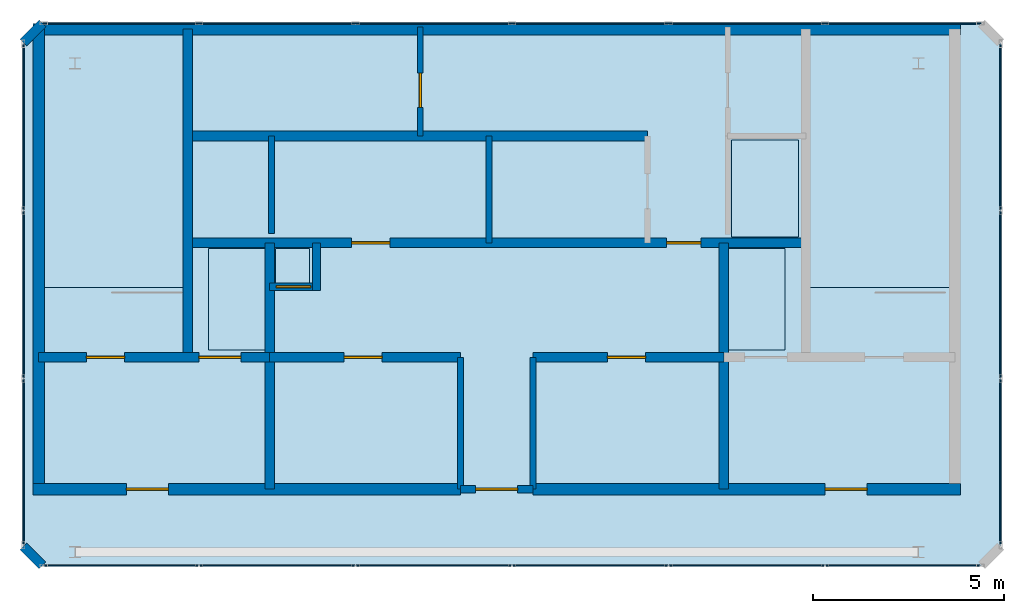
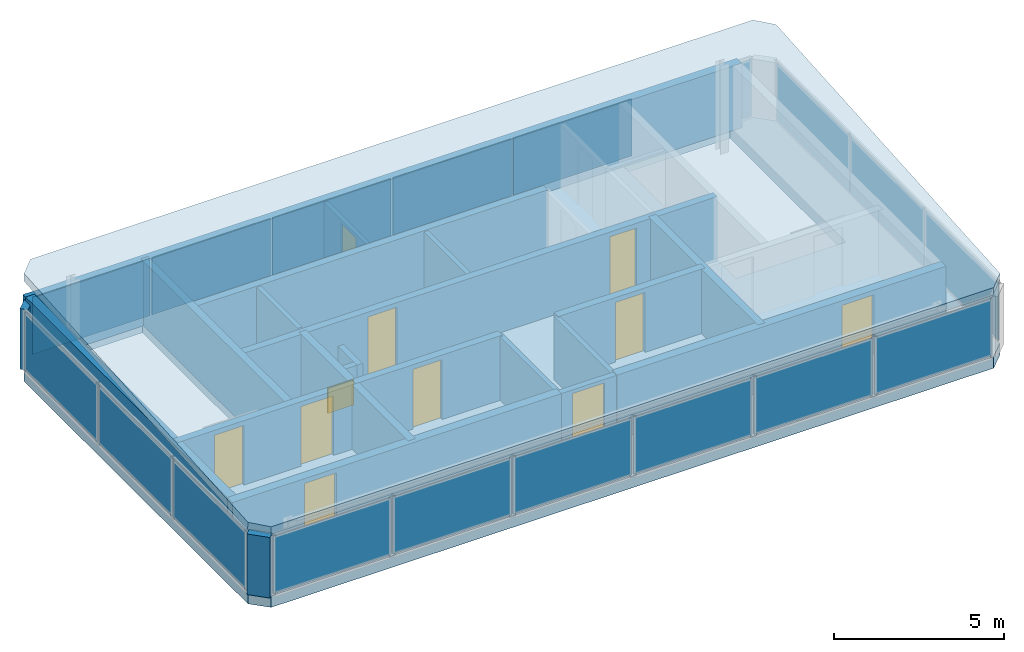
# One storey, part 7 of 9: 22 walls, 18 plates, 11 doors, 2 slabs, 11 openings, 4 elements without a shape of their own.
"""IFC4 building model written with IfcOpenShell, lengths in metres."""

from ifc_helpers import new_model, si_unit, direction, frame, frame_2d, origin, origin_2d, place, context, subcontext, project, spatial, polyline, rectangle, outline, extrude, material, layer, layer_set, type_object, element, fill, aggregate, save


model = new_model("IFC4")

# Units and contexts
model_context = context("Model", 3, precision=1e-05, world=origin(), true_north=direction((0.0, 1.0)))
body_context = subcontext(model_context, "Body", "Model", "MODEL_VIEW")
ifc_project = project(units=[si_unit("LENGTHUNIT", "METRE"), si_unit("AREAUNIT", "SQUARE_METRE"), si_unit("VOLUMEUNIT", "CUBIC_METRE"), si_unit("PLANEANGLEUNIT", "RADIAN"), si_unit("MASSUNIT", "GRAM", prefix="KILO")], contexts=[model_context])

# Site, building, storey
site_placement = place(None, origin())
site = spatial("IfcSite", under=ifc_project, at=site_placement, CompositionType="ELEMENT")
building_placement = place(site_placement, origin())
building = spatial("IfcBuilding", under=site, at=building_placement, Name="Catumbela Crestline Tower", CompositionType="ELEMENT")
storey_placement = place(building_placement, frame((0.0, 0.0, 318.5)))
storey = spatial("IfcBuildingStorey", under=building, at=storey_placement, Name="L82", CompositionType="ELEMENT", Elevation=318.5)

# Curtain wall, plates
ifc_material_1 = material(Name="Aluminium alloy AW-6060-T66", Category="aluminium")
ifc_layer_1 = layer(ifc_material_1, 0.18, Name="Aluminium alloy AW-6060-T66")
ifc_layer_set_1 = layer_set([ifc_layer_1], Name="Aluminium alloy AW-6060-T66")
curtain_wall_type = type_object("IfcCurtainWallType", Name="CWS-OBS", PredefinedType="USERDEFINED", material=ifc_layer_set_1)
curtain_wall_1_placement = place(storey_placement, origin())
curtain_wall_1 = element("IfcCurtainWall", 1, at=curtain_wall_1_placement, inside=storey, type_object=curtain_wall_type, Name="L82 Stick Curtain Wall CW-L82-E0S1", ObjectType="STICK", PredefinedType="USERDEFINED")
ifc_material_2 = material(Name="Low-E laminated solar-control double glazing", Category="glass")
ifc_layer_2 = layer(ifc_material_2, 0.036, Name="Low-E laminated solar-control double glazing")
ifc_layer_set_2 = layer_set([ifc_layer_2], Name="Low-E laminated solar-control double glazing")
plate_type = type_object("IfcPlateType", Name="PNL-GLZ-OB", PredefinedType="CURTAIN_PANEL", material=ifc_layer_set_2)
plate_1_placement = place(storey_placement, frame((18.1663, 28.8, 0.06), z_axis=(0.0, 0.0, 1.0), x_axis=(1.0, 0.0, 0.0)))
plate_1 = element("IfcPlate", 2, at=plate_1_placement, type_object=plate_type, Name="CWS-OBS panel 1.1", PredefinedType="CURTAIN_PANEL", context=body_context, shape_type="SweptSolid", body=[
    extrude(rectangle(XDim=4.0025, YDim=0.034, at=origin_2d()), origin(), (0.0, 0.0, 1.0), 2.06),
])
plate_2_placement = place(storey_placement, frame((22.25, 28.8, 0.06), z_axis=(0.0, 0.0, 1.0), x_axis=(1.0, 0.0, 0.0)))
plate_2 = element("IfcPlate", 3, at=plate_2_placement, type_object=plate_type, Name="CWS-OBS panel 2.1", PredefinedType="CURTAIN_PANEL", context=body_context, shape_type="SweptSolid", body=[
    extrude(rectangle(XDim=4.035, YDim=0.034, at=origin_2d()), origin(), (0.0, 0.0, 1.0), 2.06),
])
plate_3_placement = place(storey_placement, frame((26.35, 28.8, 0.06), z_axis=(0.0, 0.0, 1.0), x_axis=(1.0, 0.0, 0.0)))
plate_3 = element("IfcPlate", 4, at=plate_3_placement, type_object=plate_type, Name="CWS-OBS panel 3.1", PredefinedType="CURTAIN_PANEL", context=body_context, shape_type="SweptSolid", body=[
    extrude(rectangle(XDim=4.035, YDim=0.034, at=origin_2d()), origin(), (0.0, 0.0, 1.0), 2.06),
])
plate_4_placement = place(storey_placement, frame((30.45, 28.8, 0.06), z_axis=(0.0, 0.0, 1.0), x_axis=(1.0, 0.0, 0.0)))
plate_4 = element("IfcPlate", 5, at=plate_4_placement, type_object=plate_type, Name="CWS-OBS panel 4.1", PredefinedType="CURTAIN_PANEL", context=body_context, shape_type="SweptSolid", body=[
    extrude(rectangle(XDim=4.035, YDim=0.034, at=origin_2d()), origin(), (0.0, 0.0, 1.0), 2.06),
])
plate_5_placement = place(storey_placement, frame((34.55, 28.8, 0.06), z_axis=(0.0, 0.0, 1.0), x_axis=(1.0, 0.0, 0.0)))
plate_5 = element("IfcPlate", 6, at=plate_5_placement, type_object=plate_type, Name="CWS-OBS panel 5.1", PredefinedType="CURTAIN_PANEL", context=body_context, shape_type="SweptSolid", body=[
    extrude(rectangle(XDim=4.035, YDim=0.034, at=origin_2d()), origin(), (0.0, 0.0, 1.0), 2.06),
])
plate_6_placement = place(storey_placement, frame((38.6338, 28.8, 0.06), z_axis=(0.0, 0.0, 1.0), x_axis=(1.0, 0.0, 0.0)))
plate_6 = element("IfcPlate", 7, at=plate_6_placement, type_object=plate_type, Name="CWS-OBS panel 6.1", PredefinedType="CURTAIN_PANEL", context=body_context, shape_type="SweptSolid", body=[
    extrude(rectangle(XDim=4.0025, YDim=0.034, at=origin_2d()), origin(), (0.0, 0.0, 1.0), 2.06),
])
aggregate(curtain_wall_1, [plate_1, plate_2, plate_3, plate_4, plate_5, plate_6])

curtain_wall_2_placement = place(storey_placement, origin())
curtain_wall_2 = element("IfcCurtainWall", 8, at=curtain_wall_2_placement, inside=storey, type_object=curtain_wall_type, Name="L82 Stick Curtain Wall CW-L82-E2S1", ObjectType="STICK", PredefinedType="USERDEFINED")
plate_7_placement = place(storey_placement, frame((41.2, 31.5162, 0.06), z_axis=(0.0, 0.0, 1.0), x_axis=(0.0, 1.0, 0.0)))
plate_7 = element("IfcPlate", 9, at=plate_7_placement, type_object=plate_type, Name="CWS-OBS panel 1.1", PredefinedType="CURTAIN_PANEL", context=body_context, shape_type="SweptSolid", body=[
    extrude(rectangle(XDim=4.3025, YDim=0.034, at=origin_2d()), origin(), (0.0, 0.0, 1.0), 2.06),
])
plate_8_placement = place(storey_placement, frame((41.2, 35.9, 0.06), z_axis=(0.0, 0.0, 1.0), x_axis=(0.0, 1.0, 0.0)))
plate_8 = element("IfcPlate", 10, at=plate_8_placement, type_object=plate_type, Name="CWS-OBS panel 2.1", PredefinedType="CURTAIN_PANEL", context=body_context, shape_type="SweptSolid", body=[
    extrude(rectangle(XDim=4.335, YDim=0.034, at=origin_2d()), origin(), (0.0, 0.0, 1.0), 2.06),
])
plate_9_placement = place(storey_placement, frame((41.2, 40.2838, 0.06), z_axis=(0.0, 0.0, 1.0), x_axis=(0.0, 1.0, 0.0)))
plate_9 = element("IfcPlate", 11, at=plate_9_placement, type_object=plate_type, Name="CWS-OBS panel 3.1", PredefinedType="CURTAIN_PANEL", context=body_context, shape_type="SweptSolid", body=[
    extrude(rectangle(XDim=4.3025, YDim=0.034, at=origin_2d()), origin(), (0.0, 0.0, 1.0), 2.06),
])
aggregate(curtain_wall_2, [plate_7, plate_8, plate_9])

curtain_wall_3_placement = place(storey_placement, origin())
curtain_wall_3 = element("IfcCurtainWall", 12, at=curtain_wall_3_placement, inside=storey, type_object=curtain_wall_type, Name="L82 Stick Curtain Wall CW-L82-E4S1", ObjectType="STICK", PredefinedType="USERDEFINED")
plate_10_placement = place(storey_placement, frame((38.6338, 43.0, 0.06), z_axis=(0.0, 0.0, 1.0), x_axis=(-1.0, 0.0, 0.0)))
plate_10 = element("IfcPlate", 13, at=plate_10_placement, type_object=plate_type, Name="CWS-OBS panel 1.1", PredefinedType="CURTAIN_PANEL", context=body_context, shape_type="SweptSolid", body=[
    extrude(rectangle(XDim=4.0025, YDim=0.034, at=origin_2d()), origin(), (0.0, 0.0, 1.0), 2.06),
])
plate_11_placement = place(storey_placement, frame((34.55, 43.0, 0.06), z_axis=(0.0, 0.0, 1.0), x_axis=(-1.0, 0.0, 0.0)))
plate_11 = element("IfcPlate", 14, at=plate_11_placement, type_object=plate_type, Name="CWS-OBS panel 2.1", PredefinedType="CURTAIN_PANEL", context=body_context, shape_type="SweptSolid", body=[
    extrude(rectangle(XDim=4.035, YDim=0.034, at=origin_2d()), origin(), (0.0, 0.0, 1.0), 2.06),
])
plate_12_placement = place(storey_placement, frame((30.45, 43.0, 0.06), z_axis=(0.0, 0.0, 1.0), x_axis=(-1.0, 0.0, 0.0)))
plate_12 = element("IfcPlate", 15, at=plate_12_placement, type_object=plate_type, Name="CWS-OBS panel 3.1", PredefinedType="CURTAIN_PANEL", context=body_context, shape_type="SweptSolid", body=[
    extrude(rectangle(XDim=4.035, YDim=0.034, at=origin_2d()), origin(), (0.0, 0.0, 1.0), 2.06),
])
plate_13_placement = place(storey_placement, frame((26.35, 43.0, 0.06), z_axis=(0.0, 0.0, 1.0), x_axis=(-1.0, 0.0, 0.0)))
plate_13 = element("IfcPlate", 16, at=plate_13_placement, type_object=plate_type, Name="CWS-OBS panel 4.1", PredefinedType="CURTAIN_PANEL", context=body_context, shape_type="SweptSolid", body=[
    extrude(rectangle(XDim=4.035, YDim=0.034, at=origin_2d()), origin(), (0.0, 0.0, 1.0), 2.06),
])
plate_14_placement = place(storey_placement, frame((22.25, 43.0, 0.06), z_axis=(0.0, 0.0, 1.0), x_axis=(-1.0, 0.0, 0.0)))
plate_14 = element("IfcPlate", 17, at=plate_14_placement, type_object=plate_type, Name="CWS-OBS panel 5.1", PredefinedType="CURTAIN_PANEL", context=body_context, shape_type="SweptSolid", body=[
    extrude(rectangle(XDim=4.035, YDim=0.034, at=origin_2d()), origin(), (0.0, 0.0, 1.0), 2.06),
])
plate_15_placement = place(storey_placement, frame((18.1663, 43.0, 0.06), z_axis=(0.0, 0.0, 1.0), x_axis=(-1.0, 0.0, 0.0)))
plate_15 = element("IfcPlate", 18, at=plate_15_placement, type_object=plate_type, Name="CWS-OBS panel 6.1", PredefinedType="CURTAIN_PANEL", context=body_context, shape_type="SweptSolid", body=[
    extrude(rectangle(XDim=4.0025, YDim=0.034, at=origin_2d()), origin(), (0.0, 0.0, 1.0), 2.06),
])
aggregate(curtain_wall_3, [plate_10, plate_11, plate_12, plate_13, plate_14, plate_15])

curtain_wall_4_placement = place(storey_placement, origin())
curtain_wall_4 = element("IfcCurtainWall", 19, at=curtain_wall_4_placement, inside=storey, type_object=curtain_wall_type, Name="L82 Stick Curtain Wall CW-L82-E6S1", ObjectType="STICK", PredefinedType="USERDEFINED")
plate_16_placement = place(storey_placement, frame((15.6, 40.2838, 0.06), z_axis=(0.0, 0.0, 1.0), x_axis=(0.0, -1.0, 0.0)))
plate_16 = element("IfcPlate", 20, at=plate_16_placement, type_object=plate_type, Name="CWS-OBS panel 1.1", PredefinedType="CURTAIN_PANEL", context=body_context, shape_type="SweptSolid", body=[
    extrude(rectangle(XDim=4.3025, YDim=0.034, at=origin_2d()), origin(), (0.0, 0.0, 1.0), 2.06),
])
plate_17_placement = place(storey_placement, frame((15.6, 35.9, 0.06), z_axis=(0.0, 0.0, 1.0), x_axis=(0.0, -1.0, 0.0)))
plate_17 = element("IfcPlate", 21, at=plate_17_placement, type_object=plate_type, Name="CWS-OBS panel 2.1", PredefinedType="CURTAIN_PANEL", context=body_context, shape_type="SweptSolid", body=[
    extrude(rectangle(XDim=4.335, YDim=0.034, at=origin_2d()), origin(), (0.0, 0.0, 1.0), 2.06),
])
plate_18_placement = place(storey_placement, frame((15.6, 31.5162, 0.06), z_axis=(0.0, 0.0, 1.0), x_axis=(0.0, -1.0, 0.0)))
plate_18 = element("IfcPlate", 22, at=plate_18_placement, type_object=plate_type, Name="CWS-OBS panel 3.1", PredefinedType="CURTAIN_PANEL", context=body_context, shape_type="SweptSolid", body=[
    extrude(rectangle(XDim=4.3025, YDim=0.034, at=origin_2d()), origin(), (0.0, 0.0, 1.0), 2.06),
])
aggregate(curtain_wall_4, [plate_16, plate_17, plate_18])

# Slabs
ifc_material_3 = material(Name="Concrete C45/55", Category="concrete")
ifc_layer_3 = layer(ifc_material_3, 0.28, Name="Concrete C45/55")
ifc_layer_set_3 = layer_set([ifc_layer_3], Name="Concrete C45/55")
slab_type_1 = type_object("IfcSlabType", Name="SR-300", PredefinedType="ROOF", material=ifc_layer_set_3)
slab_1_placement = place(storey_placement, frame((16.1, 28.8, 2.48), z_axis=(0.0, -0.071646156136, 0.997430111993), x_axis=(1.0, 0.0, 0.0)))
element("IfcSlab", 23, at=slab_1_placement, inside=storey, type_object=slab_type_1, Name="L82 Slanted-Cut Crown Peak Roof Slab", PredefinedType="ROOF", context=body_context, shape_type="SweptSolid", body=[
    extrude(outline(polyline([(0.0, 0.0), (24.6, 0.0), (25.1, 0.5012943176175383), (25.1, 13.735292351945818), (24.6, 14.236586669563357), (-2.0598010431895767e-21, 14.236586669563357), (-0.5000000000000018, 13.735292351945818), (-0.5000000000000018, 0.5012943176175383), (0.0, 0.0)])), origin(), (0.0, 0.0, -1.0), 0.28),
])
ifc_material_4 = material(Name="Concrete C60/75", Category="concrete")
ifc_layer_4 = layer(ifc_material_4, 0.45, Name="Concrete C60/75")
ifc_layer_set_4 = layer_set([ifc_layer_4], Name="Concrete C60/75")
slab_type_2 = type_object("IfcSlabType", Name="SL-450T", PredefinedType="FLOOR", material=ifc_layer_set_4)
slab_2_placement = place(storey_placement, frame((0.0, 0.0, -0.42)))
element("IfcSlab", 24, at=slab_2_placement, inside=storey, type_object=slab_type_2, Name="L82 Structural Floor Slab", PredefinedType="FLOOR", context=body_context, shape_type="SweptSolid", body=[
    extrude(outline(polyline([(16.1, 28.8), (40.7, 28.8), (41.2, 29.3), (41.2, 42.5), (40.7, 43.0), (16.1, 43.0), (15.6, 42.5), (15.6, 29.3), (16.1, 28.8)]), holes=[polyline([(16.13, 36.08), (19.87, 36.08), (19.87, 42.92), (16.13, 42.92), (16.13, 36.08)]), polyline([(36.13, 36.08), (39.87, 36.08), (39.87, 42.92), (36.13, 42.92), (36.13, 36.08)]), polyline([(20.45, 34.45), (21.95, 34.45), (21.95, 37.1), (20.45, 37.1), (20.45, 34.45)]), polyline([(34.05, 34.45), (35.55, 34.45), (35.55, 37.1), (34.05, 37.1), (34.05, 34.45)]), polyline([(34.15, 37.4), (35.9, 37.4), (35.9, 39.95), (34.15, 39.95), (34.15, 37.4)]), polyline([(22.2, 36.2), (23.1, 36.2), (23.1, 37.1), (22.2, 37.1), (22.2, 36.2)])]), origin(), (0.0, 0.0, 1.0), 0.42),
])

# Walls
ifc_material_5 = material(Name="Concrete C50/60", Category="concrete")
ifc_layer_5 = layer(ifc_material_5, 0.25, Name="Concrete C50/60")
ifc_layer_set_5 = layer_set([ifc_layer_5], Name="Concrete C50/60")
wall_type_1 = type_object("IfcWallType", Name="CW-250D", PredefinedType="SHEAR", material=ifc_layer_set_5)
wall_1_placement = place(storey_placement, frame((19.9, 34.25, 0.0), z_axis=(0.0, 0.0, 1.0), x_axis=(0.0, 1.0, 0.0)))
element("IfcWall", 25, at=wall_1_placement, inside=storey, type_object=wall_type_1, Name="L82 Structural Core Shear Wall WWEB", PredefinedType="SHEAR", context=body_context, shape_type="SweptSolid", body=[
    extrude(rectangle(XDim=8.6, YDim=0.25, at=frame_2d((4.3, 0.0))), origin(), (0.0, 0.0, 1.0), 2.32),
])
for number, where, z_axis, x_axis, name in (
    (26, (22.05, 30.8, 0.0), (0.0, 0.0, 1.0), (0.0, 1.0, 0.0), "L82 Structural Core Shear Wall FFW"),
    (27, (33.95, 30.8, 0.0), (0.0, 0.0, 1.0), (0.0, 1.0, 0.0), "L82 Structural Core Shear Wall FFE"),
):
    element("IfcWall", number, at=place(storey_placement, frame(where, z_axis=z_axis, x_axis=x_axis)), inside=storey, type_object=wall_type_1, Name=name, PredefinedType="SHEAR", context=body_context, shape_type="SweptSolid", body=[
        extrude(rectangle(XDim=6.45, YDim=0.25, at=frame_2d((3.225, 0.0))), origin(), (0.0, 0.0, 1.0), 2.32),
    ])

# Wall, openings, doors
wall_2_placement = place(storey_placement, frame((16.0, 34.25, 0.0), z_axis=(0.0, 0.0, 1.0), x_axis=(1.0, 0.0, 0.0)))
wall_2 = element("IfcWall", 28, at=wall_2_placement, inside=storey, type_object=wall_type_1, Name="L82 Structural Core Shear Wall ST1S", PredefinedType="SHEAR", context=body_context, shape_type="SweptSolid", body=[
    extrude(rectangle(XDim=6.05, YDim=0.25, at=frame_2d((3.025, 0.0))), origin(), (0.0, 0.0, 1.0), 2.32),
])
opening_1_placement = place(wall_2_placement, frame((1.25, 0.0, 0.0)))
opening_1 = element("IfcOpeningElement", 29, at=opening_1_placement, cuts=wall_2, Name="Opening DF9-100", PredefinedType="OPENING", context=body_context, shape_type="SweptSolid", body=[
    extrude(rectangle(XDim=1.0, YDim=2.15, at=frame_2d((0.5, 1.075))), frame((0.0, 0.135, 0.0), z_axis=(0.0, -1.0, 0.0), x_axis=(1.0, 0.0, 0.0)), (0.0, 0.0, 1.0), 0.27),
])
opening_2_placement = place(wall_2_placement, frame((4.2, 0.0, 0.0)))
opening_2 = element("IfcOpeningElement", 30, at=opening_2_placement, cuts=wall_2, Name="Opening LD-110", PredefinedType="OPENING", context=body_context, shape_type="SweptSolid", body=[
    extrude(rectangle(XDim=1.1, YDim=2.15, at=frame_2d((0.55, 1.075))), frame((0.0, 0.135, 0.0), z_axis=(0.0, -1.0, 0.0), x_axis=(1.0, 0.0, 0.0)), (0.0, 0.0, 1.0), 0.27),
])
ifc_material_6 = material(Name="Stainless steel EN 1.4401", Category="steel")
door_type_1 = type_object("IfcDoorType", Name="DF9-100", OperationType="NOTDEFINED", PredefinedType="DOOR", material=ifc_material_6)
door_1_placement = place(opening_1_placement, origin())
door_1 = element("IfcDoor", 31, at=door_1_placement, inside=storey, type_object=door_type_1, Name="L82 Interior Door DR-L82-ST01", OperationType="SINGLE_SWING_LEFT", OverallHeight=2.15, OverallWidth=1.0, PredefinedType="DOOR", context=body_context, shape_type="SweptSolid", body=[
    extrude(rectangle(XDim=1.0, YDim=2.15, at=frame_2d((0.5, 1.075))), frame((0.0, 0.025, 0.0), z_axis=(0.0, -1.0, 0.0), x_axis=(1.0, 0.0, 0.0)), (0.0, 0.0, 1.0), 0.05),
])
fill(opening_1, door_1)
door_type_2 = type_object("IfcDoorType", Name="LD-110", OperationType="NOTDEFINED", PredefinedType="DOOR", material=ifc_material_6)
door_2_placement = place(opening_2_placement, origin())
door_2 = element("IfcDoor", 32, at=door_2_placement, inside=storey, type_object=door_type_2, Name="L82 Lift Landing Sliding Door FL-01", OperationType="DOUBLE_DOOR_SLIDING", OverallHeight=2.15, OverallWidth=1.1, PredefinedType="DOOR", context=body_context, shape_type="SweptSolid", body=[
    extrude(rectangle(XDim=1.1, YDim=2.15, at=frame_2d((0.55, 1.075))), frame((0.0, 0.025, 0.0), z_axis=(0.0, -1.0, 0.0), x_axis=(1.0, 0.0, 0.0)), (0.0, 0.0, 1.0), 0.05),
])
fill(opening_2, door_2)

# Wall, opening, door
wall_3_placement = place(storey_placement, frame((22.05, 34.25, 0.0), z_axis=(0.0, 0.0, 1.0), x_axis=(1.0, 0.0, 0.0)))
wall_3 = element("IfcWall", 33, at=wall_3_placement, inside=storey, type_object=wall_type_1, Name="L82 Structural Core Shear Wall LIFTS-W", PredefinedType="SHEAR", context=body_context, shape_type="SweptSolid", body=[
    extrude(rectangle(XDim=5.0, YDim=0.25, at=frame_2d((2.5, 0.0))), origin(), (0.0, 0.0, 1.0), 2.32),
])
opening_3_placement = place(wall_3_placement, frame((1.95, 0.0, 0.0)))
opening_3 = element("IfcOpeningElement", 34, at=opening_3_placement, cuts=wall_3, Name="Opening DF9-100", PredefinedType="OPENING", context=body_context, shape_type="SweptSolid", body=[
    extrude(rectangle(XDim=1.0, YDim=2.15, at=frame_2d((0.5, 1.075))), frame((0.0, 0.135, 0.0), z_axis=(0.0, -1.0, 0.0), x_axis=(1.0, 0.0, 0.0)), (0.0, 0.0, 1.0), 0.27),
])
door_3_placement = place(opening_3_placement, origin())
door_3 = element("IfcDoor", 35, at=door_3_placement, inside=storey, type_object=door_type_1, Name="L82 Interior Door DR-L82-RECL1", OperationType="SINGLE_SWING_LEFT", OverallHeight=2.15, OverallWidth=1.0, PredefinedType="DOOR", context=body_context, shape_type="SweptSolid", body=[
    extrude(rectangle(XDim=1.0, YDim=2.15, at=frame_2d((0.5, 1.075))), frame((0.0, 0.025, 0.0), z_axis=(0.0, -1.0, 0.0), x_axis=(1.0, 0.0, 0.0)), (0.0, 0.0, 1.0), 0.05),
])
fill(opening_3, door_3)

wall_4_placement = place(storey_placement, frame((28.95, 34.25, 0.0), z_axis=(0.0, 0.0, 1.0), x_axis=(1.0, 0.0, 0.0)))
wall_4 = element("IfcWall", 36, at=wall_4_placement, inside=storey, type_object=wall_type_1, Name="L82 Structural Core Shear Wall LIFTS-E", PredefinedType="SHEAR", context=body_context, shape_type="SweptSolid", body=[
    extrude(rectangle(XDim=5.0, YDim=0.25, at=frame_2d((2.5, 0.0))), origin(), (0.0, 0.0, 1.0), 2.32),
])
opening_4_placement = place(wall_4_placement, frame((1.95, 0.0, 0.0)))
opening_4 = element("IfcOpeningElement", 37, at=opening_4_placement, cuts=wall_4, Name="Opening DF9-100", PredefinedType="OPENING", context=body_context, shape_type="SweptSolid", body=[
    extrude(rectangle(XDim=1.0, YDim=2.15, at=frame_2d((0.5, 1.075))), frame((0.0, 0.135, 0.0), z_axis=(0.0, -1.0, 0.0), x_axis=(1.0, 0.0, 0.0)), (0.0, 0.0, 1.0), 0.27),
])
door_4_placement = place(opening_4_placement, origin())
door_4 = element("IfcDoor", 38, at=door_4_placement, inside=storey, type_object=door_type_1, Name="L82 Interior Door DR-L82-RECL2", OperationType="SINGLE_SWING_RIGHT", OverallHeight=2.15, OverallWidth=1.0, PredefinedType="DOOR", context=body_context, shape_type="SweptSolid", body=[
    extrude(rectangle(XDim=1.0, YDim=2.15, at=frame_2d((0.5, 1.075))), frame((0.0, 0.025, 0.0), z_axis=(0.0, -1.0, 0.0), x_axis=(1.0, 0.0, 0.0)), (0.0, 0.0, 1.0), 0.05),
])
fill(opening_4, door_4)

# Wall, openings, doors
wall_5_placement = place(storey_placement, frame((19.9, 37.25, 0.0), z_axis=(0.0, 0.0, 1.0), x_axis=(1.0, 0.0, 0.0)))
wall_5 = element("IfcWall", 39, at=wall_5_placement, inside=storey, type_object=wall_type_1, Name="L82 Structural Core Shear Wall LIFTN", PredefinedType="SHEAR", context=body_context, shape_type="SweptSolid", body=[
    extrude(rectangle(XDim=16.2, YDim=0.25, at=frame_2d((8.1, 0.0))), origin(), (0.0, 0.0, 1.0), 2.32),
])
opening_5_placement = place(wall_5_placement, frame((4.3, 0.0, 0.0)))
opening_5 = element("IfcOpeningElement", 40, at=opening_5_placement, cuts=wall_5, Name="Opening DF9-100", PredefinedType="OPENING", context=body_context, shape_type="SweptSolid", body=[
    extrude(rectangle(XDim=1.0, YDim=2.15, at=frame_2d((0.5, 1.075))), frame((0.0, 0.135, 0.0), z_axis=(0.0, -1.0, 0.0), x_axis=(1.0, 0.0, 0.0)), (0.0, 0.0, 1.0), 0.27),
])
opening_6_placement = place(wall_5_placement, frame((12.55, 0.0, 0.0)))
opening_6 = element("IfcOpeningElement", 41, at=opening_6_placement, cuts=wall_5, Name="Opening DF9-090", PredefinedType="OPENING", context=body_context, shape_type="SweptSolid", body=[
    extrude(rectangle(XDim=0.9, YDim=2.15, at=frame_2d((0.45, 1.075))), frame((0.0, 0.135, 0.0), z_axis=(0.0, -1.0, 0.0), x_axis=(1.0, 0.0, 0.0)), (0.0, 0.0, 1.0), 0.27),
])
door_type_3 = type_object("IfcDoorType", Name="DF9-090", OperationType="NOTDEFINED", PredefinedType="DOOR", material=ifc_material_6)
door_5_placement = place(opening_6_placement, origin())
door_5 = element("IfcDoor", 42, at=door_5_placement, inside=storey, type_object=door_type_3, Name="L82 Interior Door DR-L82-CPAS1", OperationType="SINGLE_SWING_LEFT", OverallHeight=2.15, OverallWidth=0.9, PredefinedType="DOOR", context=body_context, shape_type="SweptSolid", body=[
    extrude(rectangle(XDim=0.9, YDim=2.15, at=frame_2d((0.45, 1.075))), frame((0.0, 0.025, 0.0), z_axis=(0.0, -1.0, 0.0), x_axis=(1.0, 0.0, 0.0)), (0.0, 0.0, 1.0), 0.05),
])
fill(opening_6, door_5)
door_6_placement = place(opening_5_placement, origin())
door_6 = element("IfcDoor", 43, at=door_6_placement, inside=storey, type_object=door_type_1, Name="L82 Interior Door DR-L82-RECL3", OperationType="SINGLE_SWING_LEFT", OverallHeight=2.15, OverallWidth=1.0, PredefinedType="DOOR", context=body_context, shape_type="SweptSolid", body=[
    extrude(rectangle(XDim=1.0, YDim=2.15, at=frame_2d((0.5, 1.075))), frame((0.0, 0.025, 0.0), z_axis=(0.0, -1.0, 0.0), x_axis=(1.0, 0.0, 0.0)), (0.0, 0.0, 1.0), 0.05),
])
fill(opening_5, door_6)

# Walls
wall_6_placement = place(storey_placement, frame((19.9, 40.05, 0.0), z_axis=(0.0, 0.0, 1.0), x_axis=(1.0, 0.0, 0.0)))
element("IfcWall", 44, at=wall_6_placement, inside=storey, type_object=wall_type_1, Name="L82 Structural Core Shear Wall COREN", PredefinedType="SHEAR", context=body_context, shape_type="SweptSolid", body=[
    extrude(rectangle(XDim=12.05, YDim=0.25, at=frame_2d((6.025, 0.0))), origin(), (0.0, 0.0, 1.0), 2.32),
])
ifc_layer_6 = layer(ifc_material_3, 0.3, Name="Concrete C45/55")
ifc_layer_set_6 = layer_set([ifc_layer_6], Name="Concrete C45/55")
wall_type_2 = type_object("IfcWallType", Name="CW-300C", PredefinedType="SHEAR", material=ifc_layer_set_6)
wall_7_placement = place(storey_placement, frame((16.0, 30.8, 0.0), z_axis=(0.0, 0.0, 1.0), x_axis=(0.0, 1.0, 0.0)))
element("IfcWall", 45, at=wall_7_placement, inside=storey, type_object=wall_type_2, Name="L82 Structural Core Shear Wall W", PredefinedType="SHEAR", context=body_context, shape_type="SweptSolid", body=[
    extrude(rectangle(XDim=12.05, YDim=0.3, at=frame_2d((6.025, 0.0))), origin(), (0.0, 0.0, 1.0), 2.32),
])
wall_8_placement = place(storey_placement, frame((15.85, 42.85, 0.0), z_axis=(0.0, 0.0, 1.0), x_axis=(1.0, 0.0, 0.0)))
element("IfcWall", 46, at=wall_8_placement, inside=storey, type_object=wall_type_2, Name="L82 Structural Core Shear Wall N", PredefinedType="SHEAR", context=body_context, shape_type="SweptSolid", body=[
    extrude(rectangle(XDim=24.3, YDim=0.3, at=frame_2d((12.15, 0.0))), origin(), (0.0, 0.0, 1.0), 2.32),
])

# Wall, opening, door
wall_9_placement = place(storey_placement, frame((15.85, 30.8, 0.0), z_axis=(0.0, 0.0, 1.0), x_axis=(1.0, 0.0, 0.0)))
wall_9 = element("IfcWall", 47, at=wall_9_placement, inside=storey, type_object=wall_type_2, Name="L82 Structural Core Shear Wall SW", PredefinedType="SHEAR", context=body_context, shape_type="SweptSolid", body=[
    extrude(rectangle(XDim=11.2, YDim=0.3, at=frame_2d((5.6, 0.0))), origin(), (0.0, 0.0, 1.0), 2.32),
])
opening_7_placement = place(wall_9_placement, frame((2.45, 0.0, 0.0)))
opening_7 = element("IfcOpeningElement", 48, at=opening_7_placement, cuts=wall_9, Name="Opening DF9-110", PredefinedType="OPENING", context=body_context, shape_type="SweptSolid", body=[
    extrude(rectangle(XDim=1.1, YDim=2.15, at=frame_2d((0.55, 1.075))), frame((0.0, 0.16, 0.0), z_axis=(0.0, -1.0, 0.0), x_axis=(1.0, 0.0, 0.0)), (0.0, 0.0, 1.0), 0.32),
])
door_type_4 = type_object("IfcDoorType", Name="DF9-110", OperationType="NOTDEFINED", PredefinedType="DOOR", material=ifc_material_6)
door_7_placement = place(opening_7_placement, origin())
door_7 = element("IfcDoor", 49, at=door_7_placement, inside=storey, type_object=door_type_4, Name="L82 Interior Door DR-L82-FFW-S", OperationType="SINGLE_SWING_LEFT", OverallHeight=2.15, OverallWidth=1.1, PredefinedType="DOOR", context=body_context, shape_type="SweptSolid", body=[
    extrude(rectangle(XDim=1.1, YDim=2.15, at=frame_2d((0.55, 1.075))), frame((0.0, 0.025, 0.0), z_axis=(0.0, -1.0, 0.0), x_axis=(1.0, 0.0, 0.0)), (0.0, 0.0, 1.0), 0.05),
])
fill(opening_7, door_7)

wall_10_placement = place(storey_placement, frame((28.95, 30.8, 0.0), z_axis=(0.0, 0.0, 1.0), x_axis=(1.0, 0.0, 0.0)))
wall_10 = element("IfcWall", 50, at=wall_10_placement, inside=storey, type_object=wall_type_2, Name="L82 Structural Core Shear Wall SE", PredefinedType="SHEAR", context=body_context, shape_type="SweptSolid", body=[
    extrude(rectangle(XDim=11.2, YDim=0.3, at=frame_2d((5.6, 0.0))), origin(), (0.0, 0.0, 1.0), 2.32),
])
opening_8_placement = place(wall_10_placement, frame((7.65, 0.0, 0.0)))
opening_8 = element("IfcOpeningElement", 51, at=opening_8_placement, cuts=wall_10, Name="Opening DF9-110", PredefinedType="OPENING", context=body_context, shape_type="SweptSolid", body=[
    extrude(rectangle(XDim=1.1, YDim=2.15, at=frame_2d((0.55, 1.075))), frame((0.0, 0.16, 0.0), z_axis=(0.0, -1.0, 0.0), x_axis=(1.0, 0.0, 0.0)), (0.0, 0.0, 1.0), 0.32),
])
door_8_placement = place(opening_8_placement, origin())
door_8 = element("IfcDoor", 52, at=door_8_placement, inside=storey, type_object=door_type_4, Name="L82 Interior Door DR-L82-FFE-S", OperationType="SINGLE_SWING_RIGHT", OverallHeight=2.15, OverallWidth=1.1, PredefinedType="DOOR", context=body_context, shape_type="SweptSolid", body=[
    extrude(rectangle(XDim=1.1, YDim=2.15, at=frame_2d((0.55, 1.075))), frame((0.0, 0.025, 0.0), z_axis=(0.0, -1.0, 0.0), x_axis=(1.0, 0.0, 0.0)), (0.0, 0.0, 1.0), 0.05),
])
fill(opening_8, door_8)

ifc_material_7 = material(Name="Acoustic gypsum and mineral-wool partition")
ifc_layer_7 = layer(ifc_material_7, 0.2, Name="Acoustic gypsum and mineral-wool partition")
ifc_layer_set_7 = layer_set([ifc_layer_7], Name="Acoustic gypsum and mineral-wool partition")
wall_type_3 = type_object("IfcWallType", Name="WC-200", PredefinedType="PARTITIONING", material=ifc_layer_set_7)
wall_11_placement = place(storey_placement, frame((27.05, 30.8, 0.0), z_axis=(0.0, 0.0, 1.0), x_axis=(1.0, 0.0, 0.0)))
wall_11 = element("IfcWall", 53, at=wall_11_placement, inside=storey, type_object=wall_type_3, Name="L82 Interior Partition PW-L82-CLOBS", PredefinedType="PARTITIONING", context=body_context, shape_type="SweptSolid", body=[
    extrude(rectangle(XDim=1.9, YDim=0.2, at=frame_2d((0.95, 0.0))), origin(), (0.0, 0.0, 1.0), 2.28),
])
opening_9_placement = place(wall_11_placement, frame((0.4, 0.0, 0.0)))
opening_9 = element("IfcOpeningElement", 54, at=opening_9_placement, cuts=wall_11, Name="Opening DF9-110", PredefinedType="OPENING", context=body_context, shape_type="SweptSolid", body=[
    extrude(rectangle(XDim=1.1, YDim=2.15, at=frame_2d((0.55, 1.075))), frame((0.0, 0.11, 0.0), z_axis=(0.0, -1.0, 0.0), x_axis=(1.0, 0.0, 0.0)), (0.0, 0.0, 1.0), 0.22),
])
door_9_placement = place(opening_9_placement, origin())
door_9 = element("IfcDoor", 55, at=door_9_placement, inside=storey, type_object=door_type_4, Name="L82 Interior Door DR-L82-CLOBS", OperationType="SINGLE_SWING_LEFT", OverallHeight=2.15, OverallWidth=1.1, PredefinedType="DOOR", context=body_context, shape_type="SweptSolid", body=[
    extrude(rectangle(XDim=1.1, YDim=2.15, at=frame_2d((0.55, 1.075))), frame((0.0, 0.025, 0.0), z_axis=(0.0, -1.0, 0.0), x_axis=(1.0, 0.0, 0.0)), (0.0, 0.0, 1.0), 0.05),
])
fill(opening_9, door_9)

# Walls
ifc_material_8 = material(Name="Angolan grey-ochre granite", Category="masonry")
ifc_layer_8 = layer(ifc_material_8, 0.25, Name="Angolan grey-ochre granite")
ifc_layer_set_8 = layer_set([ifc_layer_8], Name="Angolan grey-ochre granite")
wall_type_4 = type_object("IfcWallType", Name="WE-250", PredefinedType="STANDARD", material=ifc_layer_set_8)
for number, where, z_axis, x_axis, name in (
    (56, (16.1, 43.0, 0.0), (0.0, 0.0, 1.0), (-0.707106781187, -0.707106781187, 0.0), "L82 Granite Punched Window Wall 5-1"),
    (57, (15.6, 29.3, 0.0), (0.0, 0.0, 1.0), (0.707106781187, -0.707106781187, 0.0), "L82 Granite Punched Window Wall 7-1"),
):
    element("IfcWall", number, at=place(storey_placement, frame(where, z_axis=z_axis, x_axis=x_axis)), inside=storey, type_object=wall_type_4, Name=name, PredefinedType="STANDARD", context=body_context, shape_type="SweptSolid", body=[
        extrude(rectangle(XDim=0.7071, YDim=0.25, at=frame_2d((0.3535, 0.0))), origin(), (0.0, 0.0, 1.0), 2.18),
    ])

# Wall, opening, door
ifc_material_9 = material(Name="Concrete C40/50", Category="concrete")
ifc_layer_9 = layer(ifc_material_9, 0.2, Name="Concrete C40/50")
ifc_layer_set_9 = layer_set([ifc_layer_9], Name="Concrete C40/50")
wall_type_5 = type_object("IfcWallType", Name="WK-200", PredefinedType="PARAPET", material=ifc_layer_set_9)
wall_12_placement = place(storey_placement, frame((22.05, 36.1, 0.0), z_axis=(0.0, 0.0, 1.0), x_axis=(1.0, 0.0, 0.0)))
wall_12 = element("IfcWall", 58, at=wall_12_placement, inside=storey, type_object=wall_type_5, Name="L82 Overrun Maintenance Access Bulkhead", PredefinedType="PARAPET", context=body_context, shape_type="SweptSolid", body=[
    extrude(rectangle(XDim=1.33, YDim=0.2, at=frame_2d((0.665, 0.0))), origin(), (0.0, 0.0, 1.0), 1.45),
])
opening_10_placement = place(wall_12_placement, frame((0.18, 0.0, 0.0)))
opening_10 = element("IfcOpeningElement", 59, at=opening_10_placement, cuts=wall_12, Name="Opening DH-06", PredefinedType="OPENING", context=body_context, shape_type="SweptSolid", body=[
    extrude(rectangle(XDim=0.9, YDim=0.9, at=frame_2d((0.45, 0.45))), frame((0.0, 0.11, 0.0), z_axis=(0.0, -1.0, 0.0), x_axis=(1.0, 0.0, 0.0)), (0.0, 0.0, 1.0), 0.22),
])
door_type_5 = type_object("IfcDoorType", Name="DH-0900", OperationType="NOTDEFINED", PredefinedType="TRAPDOOR", material=ifc_material_6)
door_10_placement = place(opening_10_placement, origin())
door_10 = element("IfcDoor", 60, at=door_10_placement, inside=storey, type_object=door_type_5, Name="L82 Maintenance Access Trapdoor 6", OperationType="SINGLE_SWING_LEFT", OverallHeight=0.9, OverallWidth=0.9, PredefinedType="TRAPDOOR", context=body_context, shape_type="SweptSolid", body=[
    extrude(rectangle(XDim=0.9, YDim=0.9, at=frame_2d((0.45, 0.45))), frame((0.0, 0.025, 0.0), z_axis=(0.0, -1.0, 0.0), x_axis=(1.0, 0.0, 0.0)), (0.0, 0.0, 1.0), 0.05),
])
fill(opening_10, door_10)

# Wall
wall_13_placement = place(storey_placement, frame((23.28, 36.0, 0.0), z_axis=(0.0, 0.0, 1.0), x_axis=(0.0, 1.0, 0.0)))
element("IfcWall", 61, at=wall_13_placement, inside=storey, type_object=wall_type_5, Name="L82 Overrun Maintenance Access East Kerb", PredefinedType="PARAPET", context=body_context, shape_type="SweptSolid", body=[
    extrude(rectangle(XDim=1.25, YDim=0.2, at=frame_2d((0.625, 0.0))), origin(), (0.0, 0.0, 1.0), 1.45),
])

# Wall, opening, door
ifc_layer_10 = layer(ifc_material_7, 0.15, Name="Acoustic gypsum and mineral-wool partition")
ifc_layer_set_10 = layer_set([ifc_layer_10], Name="Acoustic gypsum and mineral-wool partition")
wall_type_6 = type_object("IfcWallType", Name="WP-150", PredefinedType="PARTITIONING", material=ifc_layer_set_10)
wall_14_placement = place(storey_placement, frame((26.0, 40.05, 0.0), z_axis=(0.0, 0.0, 1.0), x_axis=(0.0, 1.0, 0.0)))
wall_14 = element("IfcWall", 62, at=wall_14_placement, inside=storey, type_object=wall_type_6, Name="L82 Interior Partition PW-L82-CR-WW", PredefinedType="PARTITIONING", context=body_context, shape_type="SweptSolid", body=[
    extrude(rectangle(XDim=2.85, YDim=0.15, at=frame_2d((1.425, 0.0))), origin(), (0.0, 0.0, 1.0), 2.28),
])
opening_11_placement = place(wall_14_placement, frame((0.75, 0.0, 0.0)))
opening_11 = element("IfcOpeningElement", 63, at=opening_11_placement, cuts=wall_14, Name="Opening DF9-090", PredefinedType="OPENING", context=body_context, shape_type="SweptSolid", body=[
    extrude(rectangle(XDim=0.9, YDim=2.15, at=frame_2d((0.45, 1.075))), frame((0.0, 0.085, 0.0), z_axis=(0.0, -1.0, 0.0), x_axis=(1.0, 0.0, 0.0)), (0.0, 0.0, 1.0), 0.17),
])
door_11_placement = place(opening_11_placement, origin())
door_11 = element("IfcDoor", 64, at=door_11_placement, inside=storey, type_object=door_type_3, Name="L82 Interior Door DR-L82-CRWEST", OperationType="SINGLE_SWING_LEFT", OverallHeight=2.15, OverallWidth=0.9, PredefinedType="DOOR", context=body_context, shape_type="SweptSolid", body=[
    extrude(rectangle(XDim=0.9, YDim=2.15, at=frame_2d((0.45, 1.075))), frame((0.0, 0.025, 0.0), z_axis=(0.0, -1.0, 0.0), x_axis=(1.0, 0.0, 0.0)), (0.0, 0.0, 1.0), 0.05),
])
fill(opening_11, door_11)

# Walls
ifc_layer_11 = layer(ifc_material_7, 0.15, Name="Acoustic gypsum and mineral-wool partition")
ifc_layer_set_11 = layer_set([ifc_layer_11], Name="Acoustic gypsum and mineral-wool partition")
wall_type_7 = type_object("IfcWallType", Name="WS-150", PredefinedType="PLUMBINGWALL", material=ifc_layer_set_11)
for number, where, z_axis, x_axis, name in (
    (65, (27.05, 30.8, 0.0), (0.0, 0.0, 1.0), (0.0, 1.0, 0.0), "L82 Interior Partition PW-L82-THRW"),
    (66, (28.95, 30.8, 0.0), (0.0, 0.0, 1.0), (0.0, 1.0, 0.0), "L82 Interior Partition PW-L82-THRE"),
):
    element("IfcWall", number, at=place(storey_placement, frame(where, z_axis=z_axis, x_axis=x_axis)), inside=storey, type_object=wall_type_7, Name=name, PredefinedType="PLUMBINGWALL", context=body_context, shape_type="SweptSolid", body=[
        extrude(rectangle(XDim=3.45, YDim=0.15, at=frame_2d((1.725, 0.0))), origin(), (0.0, 0.0, 1.0), 2.28),
    ])
wall_15_placement = place(storey_placement, frame((22.1, 37.4897, 0.0), z_axis=(0.0, 0.0, 1.0), x_axis=(0.0, 1.0, 0.0)))
element("IfcWall", 67, at=wall_15_placement, inside=storey, type_object=wall_type_7, Name="L82 Interior Partition PW-L82-SHH0", PredefinedType="PLUMBINGWALL", context=body_context, shape_type="SweptSolid", body=[
    extrude(rectangle(XDim=2.5603, YDim=0.15, at=frame_2d((1.2801, 0.0))), origin(), (0.0, 0.0, 1.0), 2.28),
])
wall_16_placement = place(storey_placement, frame((27.8, 37.25, 0.0), z_axis=(0.0, 0.0, 1.0), x_axis=(0.0, 1.0, 0.0)))
element("IfcWall", 68, at=wall_16_placement, inside=storey, type_object=wall_type_7, Name="L82 Interior Partition PW-L82-SHH3", PredefinedType="PLUMBINGWALL", context=body_context, shape_type="SweptSolid", body=[
    extrude(rectangle(XDim=2.8, YDim=0.15, at=frame_2d((1.4, 0.0))), origin(), (0.0, 0.0, 1.0), 2.28),
])

save(model, "model.ifc")
